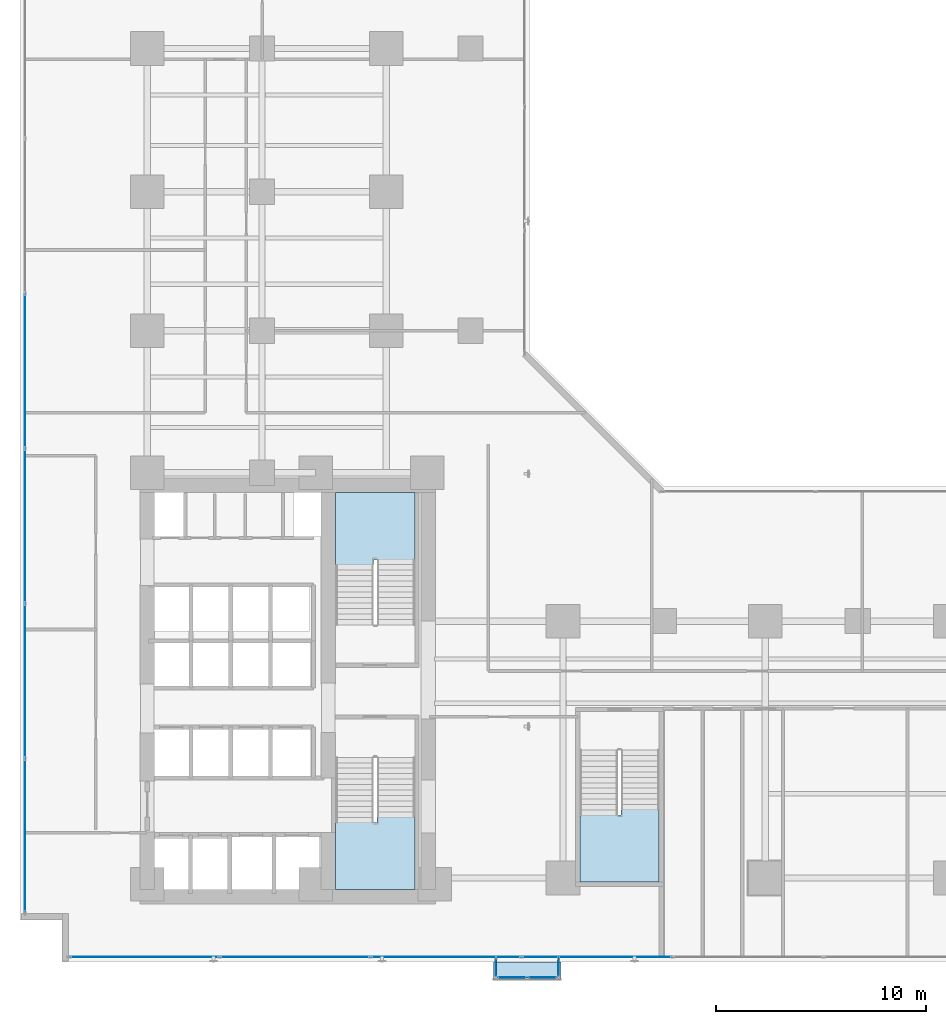
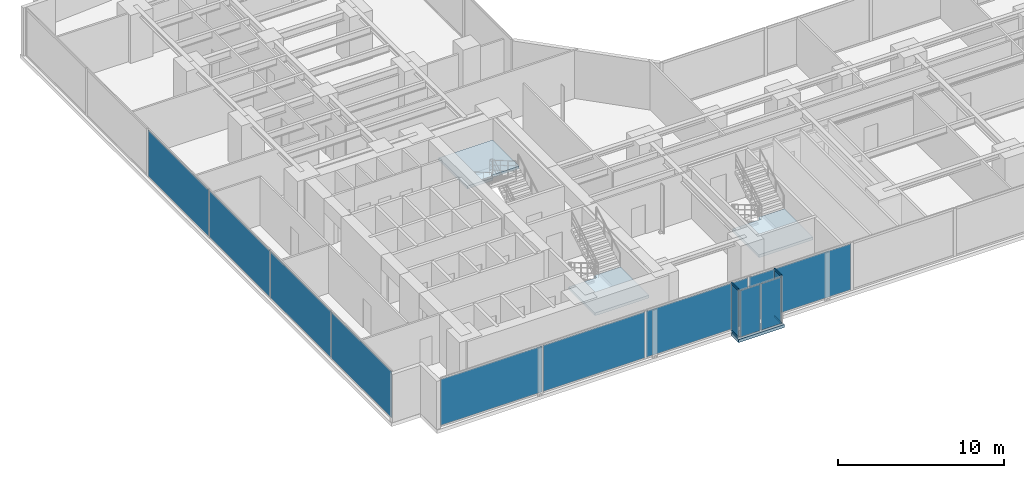
# One storey, part 20 of 28: 12 plates, 4 members, 4 slabs, 8 elements without a shape of their own.
"""IFC4 building model written with IfcOpenShell, lengths in metres."""

from ifc_helpers import new_model, si_unit, direction, frame, origin, origin_with_axes, origin_2d, place, context, subcontext, project, spatial, polyline, rectangle, hollow_rectangle, outline, extrude, source, transform, mapped, material, layer, layer_set, material_profile, profile_set, type_object, element, aggregate, save


model = new_model("IFC4")

# Units and contexts
model_context = context("Model", 3, precision=1e-05, world=origin(), true_north=direction((0.0, 1.0)))
body_context = subcontext(model_context, "Body", "Model", "MODEL_VIEW")
ifc_project = project(units=[si_unit("LENGTHUNIT", "METRE"), si_unit("AREAUNIT", "SQUARE_METRE"), si_unit("VOLUMEUNIT", "CUBIC_METRE"), si_unit("PLANEANGLEUNIT", "RADIAN"), si_unit("MASSUNIT", "GRAM", prefix="KILO")], contexts=[model_context])

# Site, building, storey
site_placement = place(None, origin())
site = spatial("IfcSite", under=ifc_project, at=site_placement, CompositionType="ELEMENT")
building_placement = place(site_placement, origin())
building = spatial("IfcBuilding", under=site, at=building_placement, Name="Kolvaren Waterfront Exchange", CompositionType="ELEMENT")
storey_placement = place(building_placement, frame((0.0, 0.0, 75.199951171875)))
storey = spatial("IfcBuildingStorey", under=building, at=storey_placement, Name="L19", CompositionType="ELEMENT", Elevation=75.199951171875)

# Curtain wall, members
ifc_material_1 = material(Name="Anodised bronze aluminium 6063-T6", Category="aluminium")
ifc_layer_1 = layer(ifc_material_1, 0.219970703125, Name="Anodised bronze aluminium 6063-T6")
ifc_layer_set_1 = layer_set([ifc_layer_1], Name="Anodised bronze aluminium 6063-T6")
curtain_wall_type_1 = type_object("IfcCurtainWallType", Name="ARC-CW-SYS3", PredefinedType="USERDEFINED", material=ifc_layer_set_1)
curtain_wall_1_placement = place(storey_placement, origin())
curtain_wall_1 = element("IfcCurtainWall", 1, at=curtain_wall_1_placement, inside=storey, type_object=curtain_wall_type_1, Name="L19 stick curtain wall CW3 (CW-L19-BOX-W)", ObjectType="STICK CURTAIN WALL", PredefinedType="USERDEFINED")
ifc_material_profile = material_profile(ifc_material_1, hollow_rectangle(XDim=0.06494140625, YDim=0.1298828125, WallThickness=0.00390625, at=origin_2d()), Name="ALU-TRN-130x65x4")
ifc_profile_set = profile_set([ifc_material_profile], Name="Anodised bronze aluminium 6063-T6")
member_type = type_object("IfcMemberType", Name="ARC-CWT-130", PredefinedType="USERDEFINED", material=ifc_profile_set)
shared_shape_1 = source(origin_with_axes(), body_context, "Body", "SweptSolid", [
    extrude(hollow_rectangle(XDim=0.06494140625, YDim=0.1298828125, WallThickness=0.00390625, at=origin_2d()), origin(), (0.0, 0.0, 1.0), 0.830078125),
])
member_1_placement = place(storey_placement, frame((24.010009765625, 1.364990234375, 0.032470703125), z_axis=(0.0, -1.0, 0.0), x_axis=(1.0, 0.0, 0.0)))
member_1 = element("IfcMember", 2, at=member_1_placement, type_object=member_type, Name="CW3 transom 1.1", ObjectType="TRANSOM", PredefinedType="USERDEFINED", context=body_context, shape_type="MappedRepresentation", body=[
    mapped(shared_shape_1, transform((0.0, 0.0, 0.0), x_axis=(1.0, 0.0, 0.0), y_axis=(0.0, 1.0, 0.0), z_axis=(0.0, 0.0, 1.0), scale=1.0)),
])
member_2_placement = place(storey_placement, frame((24.010009765625, 1.364990234375, 3.507568359375), z_axis=(0.0, -1.0, 0.0), x_axis=(1.0, 0.0, 0.0)))
member_2 = element("IfcMember", 3, at=member_2_placement, type_object=member_type, Name="CW3 transom 1.2", ObjectType="TRANSOM", PredefinedType="USERDEFINED", context=body_context, shape_type="MappedRepresentation", body=[
    mapped(shared_shape_1, transform((0.0, 0.0, 0.0), x_axis=(1.0, 0.0, 0.0), y_axis=(0.0, 1.0, 0.0), z_axis=(0.0, 0.0, 1.0), scale=1.0)),
])

curtain_wall_2_placement = place(storey_placement, origin())
curtain_wall_2 = element("IfcCurtainWall", 4, at=curtain_wall_2_placement, inside=storey, type_object=curtain_wall_type_1, Name="L19 stick curtain wall CW3 (CW-L19-BOX-E)", ObjectType="STICK CURTAIN WALL", PredefinedType="USERDEFINED")
member_3_placement = place(storey_placement, frame((26.989990234375, 0.534912109375, 0.032470703125), z_axis=(0.0, 1.0, 0.0), x_axis=(-1.0, 0.0, 0.0)))
member_3 = element("IfcMember", 5, at=member_3_placement, type_object=member_type, Name="CW3 transom 1.1", ObjectType="TRANSOM", PredefinedType="USERDEFINED", context=body_context, shape_type="MappedRepresentation", body=[
    mapped(shared_shape_1, transform((0.0, 0.0, 0.0), x_axis=(1.0, 0.0, 0.0), y_axis=(0.0, 1.0, 0.0), z_axis=(0.0, 0.0, 1.0), scale=1.0)),
])
member_4_placement = place(storey_placement, frame((26.989990234375, 0.534912109375, 3.507568359375), z_axis=(0.0, 1.0, 0.0), x_axis=(-1.0, 0.0, 0.0)))
member_4 = element("IfcMember", 6, at=member_4_placement, type_object=member_type, Name="CW3 transom 1.2", ObjectType="TRANSOM", PredefinedType="USERDEFINED", context=body_context, shape_type="MappedRepresentation", body=[
    mapped(shared_shape_1, transform((0.0, 0.0, 0.0), x_axis=(1.0, 0.0, 0.0), y_axis=(0.0, 1.0, 0.0), z_axis=(0.0, 0.0, 1.0), scale=1.0)),
])

# Stair, slab
ifc_material_2 = material(Name="Concrete C40/50", Category="concrete")
stair_type = type_object("IfcStairType", Name="ARC-STAIR-3800", PredefinedType="HALF_TURN_STAIR", material=ifc_material_2)
stair_1_placement = place(storey_placement, origin())
stair_1 = element("IfcStair", 7, at=stair_1_placement, inside=storey, type_object=stair_type, Name="L19 Smoke-proof exit stair ST1", PredefinedType="HALF_TURN_STAIR")
ifc_layer_2 = layer(ifc_material_2, 0.199951171875, Name="Concrete C40/50")
ifc_layer_set_2 = layer_set([ifc_layer_2], Name="Concrete C40/50")
slab_type_1 = type_object("IfcSlabType", Name="STR-LANDING-200", PredefinedType="LANDING", material=ifc_layer_set_2)
slab_1_placement = place(storey_placement, frame((0.0, 0.0, 1.776123046875)))
slab_1 = element("IfcSlab", 8, at=slab_1_placement, type_object=slab_type_1, Name="ST1 landing 1", PredefinedType="LANDING", context=body_context, shape_type="SweptSolid", body=[
    extrude(outline(polyline([(16.39990234375, 7.840087890625), (16.39990234375, 4.64990234375), (20.159912109375, 4.64990234375), (20.159912109375, 8.10009765625), (18.360107421875, 8.10009765625), (18.360107421875, 7.840087890625), (16.39990234375, 7.840087890625)])), origin(), (0.0, 0.0, 1.0), 0.199951171875),
])
aggregate(stair_1, [slab_1])

stair_2_placement = place(storey_placement, origin())
stair_2 = element("IfcStair", 9, at=stair_2_placement, inside=storey, type_object=stair_type, Name="L19 Smoke-proof exit stair ST2", PredefinedType="HALF_TURN_STAIR")
slab_2_placement = place(storey_placement, frame((0.0, 0.0, 1.776123046875)))
slab_2 = element("IfcSlab", 10, at=slab_2_placement, type_object=slab_type_1, Name="ST2 landing 1", PredefinedType="LANDING", context=body_context, shape_type="SweptSolid", body=[
    extrude(outline(polyline([(20.159912109375, 20.31005859375), (20.159912109375, 23.5), (16.39990234375, 23.5), (16.39990234375, 20.050048828125), (18.199951171875, 20.050048828125), (18.199951171875, 20.31005859375), (20.159912109375, 20.31005859375)])), origin(), (0.0, 0.0, 1.0), 0.199951171875),
])
aggregate(stair_2, [slab_2])

stair_3_placement = place(storey_placement, origin())
stair_3 = element("IfcStair", 11, at=stair_3_placement, inside=storey, type_object=stair_type, Name="L19 Exit stair ST3", PredefinedType="HALF_TURN_STAIR")
slab_3_placement = place(storey_placement, frame((0.0, 0.0, 1.776123046875)))
slab_3 = element("IfcSlab", 12, at=slab_3_placement, type_object=slab_type_1, Name="ST3 landing 1", PredefinedType="LANDING", context=body_context, shape_type="SweptSolid", body=[
    extrude(outline(polyline([(28.0, 8.18994140625), (28.0, 5.0), (31.760009765625, 5.0), (31.760009765625, 8.449951171875), (29.9599609375, 8.449951171875), (29.9599609375, 8.18994140625), (28.0, 8.18994140625)])), origin(), (0.0, 0.0, 1.0), 0.199951171875),
])
aggregate(stair_3, [slab_3])

# Slab
ifc_layer_3 = layer(ifc_material_2, 0.219970703125, Name="Concrete C40/50")
ifc_layer_set_3 = layer_set([ifc_layer_3], Name="Concrete C40/50")
slab_type_2 = type_object("IfcSlabType", Name="STR-TERR-220", PredefinedType="FLOOR", material=ifc_layer_set_3)
slab_4_placement = place(storey_placement, frame((0.0, 0.0, -0.219970703125)))
element("IfcSlab", 13, at=slab_4_placement, inside=storey, type_object=slab_type_2, Name="L19 projecting bay-box floor strip", PredefinedType="FLOOR", context=body_context, shape_type="SweptSolid", body=[
    extrude(outline(polyline([(23.89990234375, 0.35009765625), (27.10009765625, 0.35009765625), (27.10009765625, 1.199951171875), (23.89990234375, 1.199951171875), (23.89990234375, 0.35009765625)])), origin(), (0.0, 0.0, 1.0), 0.219970703125),
])

# Curtain wall, plates
ifc_layer_4 = layer(ifc_material_1, 0.219970703125, Name="Anodised bronze aluminium 6063-T6")
ifc_layer_set_4 = layer_set([ifc_layer_4], Name="Anodised bronze aluminium 6063-T6")
curtain_wall_type_2 = type_object("IfcCurtainWallType", Name="ARC-CW-SYS1", PredefinedType="USERDEFINED", material=ifc_layer_set_4)
curtain_wall_3_placement = place(storey_placement, origin())
curtain_wall_3 = element("IfcCurtainWall", 14, at=curtain_wall_3_placement, inside=storey, type_object=curtain_wall_type_2, Name="L19 stick curtain wall CW1 (CW-L19-S)", ObjectType="STICK CURTAIN WALL", PredefinedType="USERDEFINED")
ifc_material_3 = material(Name="Bronze solar control vision glass", Category="aluminium")
ifc_layer_5 = layer(ifc_material_3, 0.028076171875, Name="Bronze solar control vision glass")
ifc_layer_set_5 = layer_set([ifc_layer_5], Name="Bronze solar control vision glass")
plate_type_1 = type_object("IfcPlateType", Name="ARC-CWP-28", PredefinedType="CURTAIN_PANEL", material=ifc_layer_set_5)
shared_shape_2 = source(origin_with_axes(), body_context, "Body", "SweptSolid", [
    extrude(rectangle(XDim=7.054931640625, YDim=0.028076171875, at=origin_2d()), origin(), (0.0, 0.0, 1.0), 3.389892578125),
])
plate_1_placement = place(storey_placement, frame((7.3076171875, 1.43994140625, 0.0751953125), z_axis=(0.0, 0.0, 1.0), x_axis=(1.0, 0.0, 0.0)))
plate_1 = element("IfcPlate", 15, at=plate_1_placement, type_object=plate_type_1, Name="CW1 panel 1.1", PredefinedType="CURTAIN_PANEL", context=body_context, shape_type="MappedRepresentation", body=[
    mapped(shared_shape_2, transform((0.0, 0.0, 0.0), x_axis=(1.0, 0.0, 0.0), y_axis=(0.0, 1.0, 0.0), z_axis=(0.0, 0.0, 1.0), scale=1.0)),
])
shared_shape_3 = source(origin_with_axes(), body_context, "Body", "SweptSolid", [
    extrude(rectangle(XDim=7.094970703125, YDim=0.028076171875, at=origin_2d()), origin(), (0.0, 0.0, 1.0), 3.389892578125),
])
plate_2_placement = place(storey_placement, frame((14.46240234375, 1.43994140625, 0.0751953125), z_axis=(0.0, 0.0, 1.0), x_axis=(1.0, 0.0, 0.0)))
plate_2 = element("IfcPlate", 16, at=plate_2_placement, type_object=plate_type_1, Name="CW1 panel 2.1", PredefinedType="CURTAIN_PANEL", context=body_context, shape_type="MappedRepresentation", body=[
    mapped(shared_shape_3, transform((0.0, 0.0, 0.0), x_axis=(1.0, 0.0, 0.0), y_axis=(0.0, 1.0, 0.0), z_axis=(0.0, 0.0, 1.0), scale=1.0)),
])
plate_3_placement = place(storey_placement, frame((21.637451171875, 1.43994140625, 0.0751953125), z_axis=(0.0, 0.0, 1.0), x_axis=(1.0, 0.0, 0.0)))
plate_3 = element("IfcPlate", 17, at=plate_3_placement, type_object=plate_type_1, Name="CW1 panel 3.1", PredefinedType="CURTAIN_PANEL", context=body_context, shape_type="MappedRepresentation", body=[
    mapped(shared_shape_3, transform((0.0, 0.0, 0.0), x_axis=(1.0, 0.0, 0.0), y_axis=(0.0, 1.0, 0.0), z_axis=(0.0, 0.0, 1.0), scale=1.0)),
])
plate_4_placement = place(storey_placement, frame((28.8125, 1.43994140625, 0.0751953125), z_axis=(0.0, 0.0, 1.0), x_axis=(1.0, 0.0, 0.0)))
plate_4 = element("IfcPlate", 18, at=plate_4_placement, type_object=plate_type_1, Name="CW1 panel 4.1", PredefinedType="CURTAIN_PANEL", context=body_context, shape_type="MappedRepresentation", body=[
    mapped(shared_shape_3, transform((0.0, 0.0, 0.0), x_axis=(1.0, 0.0, 0.0), y_axis=(0.0, 1.0, 0.0), z_axis=(0.0, 0.0, 1.0), scale=1.0)),
])
aggregate(curtain_wall_3, [plate_1, plate_2, plate_3, plate_4])

ifc_material_4 = material(Name="Anodised aluminium 6063-T6", Category="aluminium")
ifc_layer_6 = layer(ifc_material_4, 0.219970703125, Name="Anodised aluminium 6063-T6")
ifc_layer_set_6 = layer_set([ifc_layer_6], Name="Anodised aluminium 6063-T6")
curtain_wall_type_3 = type_object("IfcCurtainWallType", Name="ARC-CW-SYS2", PredefinedType="USERDEFINED", material=ifc_layer_set_6)
curtain_wall_4_placement = place(storey_placement, origin())
curtain_wall_4 = element("IfcCurtainWall", 19, at=curtain_wall_4_placement, inside=storey, type_object=curtain_wall_type_3, Name="L19 stick curtain wall CW2 (CW-L19-W)", ObjectType="STICK CURTAIN WALL", PredefinedType="USERDEFINED")
ifc_material_5 = material(Name="Acoustic laminated vision glass", Category="glass")
ifc_layer_7 = layer(ifc_material_5, 0.031982421875, Name="Acoustic laminated vision glass")
ifc_layer_set_7 = layer_set([ifc_layer_7], Name="Acoustic laminated vision glass")
plate_type_2 = type_object("IfcPlateType", Name="ARC-CWP-32", PredefinedType="CURTAIN_PANEL", material=ifc_layer_set_7)
shared_shape_4 = source(origin_with_axes(), body_context, "Body", "SweptSolid", [
    extrude(rectangle(XDim=7.24658203125, YDim=0.031982421875, at=origin_2d()), origin(), (0.0, 0.0, 1.0), 3.389892578125),
])
plate_5_placement = place(storey_placement, frame((1.639892578125, 7.203369140625, 0.0751953125), z_axis=(0.0, 0.0, 1.0), x_axis=(0.0, 1.0, 0.0)))
plate_5 = element("IfcPlate", 20, at=plate_5_placement, type_object=plate_type_2, Name="CW2 panel 1.1", PredefinedType="CURTAIN_PANEL", context=body_context, shape_type="MappedRepresentation", body=[
    mapped(shared_shape_4, transform((0.0, 0.0, 0.0), x_axis=(1.0, 0.0, 0.0), y_axis=(0.0, 1.0, 0.0), z_axis=(0.0, 0.0, 1.0), scale=1.0)),
])
shared_shape_5 = source(origin_with_axes(), body_context, "Body", "SweptSolid", [
    extrude(rectangle(XDim=7.28662109375, YDim=0.031982421875, at=origin_2d()), origin(), (0.0, 0.0, 1.0), 3.389892578125),
])
plate_6_placement = place(storey_placement, frame((1.639892578125, 14.550048828125, 0.0751953125), z_axis=(0.0, 0.0, 1.0), x_axis=(0.0, 1.0, 0.0)))
plate_6 = element("IfcPlate", 21, at=plate_6_placement, type_object=plate_type_2, Name="CW2 panel 2.1", PredefinedType="CURTAIN_PANEL", context=body_context, shape_type="MappedRepresentation", body=[
    mapped(shared_shape_5, transform((0.0, 0.0, 0.0), x_axis=(1.0, 0.0, 0.0), y_axis=(0.0, 1.0, 0.0), z_axis=(0.0, 0.0, 1.0), scale=1.0)),
])
plate_7_placement = place(storey_placement, frame((1.639892578125, 21.916748046875, 0.0751953125), z_axis=(0.0, 0.0, 1.0), x_axis=(0.0, 1.0, 0.0)))
plate_7 = element("IfcPlate", 22, at=plate_7_placement, type_object=plate_type_2, Name="CW2 panel 3.1", PredefinedType="CURTAIN_PANEL", context=body_context, shape_type="MappedRepresentation", body=[
    mapped(shared_shape_5, transform((0.0, 0.0, 0.0), x_axis=(1.0, 0.0, 0.0), y_axis=(0.0, 1.0, 0.0), z_axis=(0.0, 0.0, 1.0), scale=1.0)),
])
plate_8_placement = place(storey_placement, frame((1.639892578125, 29.283447265625, 0.0751953125), z_axis=(0.0, 0.0, 1.0), x_axis=(0.0, 1.0, 0.0)))
plate_8 = element("IfcPlate", 23, at=plate_8_placement, type_object=plate_type_2, Name="CW2 panel 4.1", PredefinedType="CURTAIN_PANEL", context=body_context, shape_type="MappedRepresentation", body=[
    mapped(shared_shape_5, transform((0.0, 0.0, 0.0), x_axis=(1.0, 0.0, 0.0), y_axis=(0.0, 1.0, 0.0), z_axis=(0.0, 0.0, 1.0), scale=1.0)),
])
aggregate(curtain_wall_4, [plate_5, plate_6, plate_7, plate_8])

# Plate
ifc_material_6 = material(Name="Bronze tinted bay-box vision glass", Category="aluminium")
ifc_layer_8 = layer(ifc_material_6, 0.02392578125, Name="Bronze tinted bay-box vision glass")
ifc_layer_set_8 = layer_set([ifc_layer_8], Name="Bronze tinted bay-box vision glass")
plate_type_3 = type_object("IfcPlateType", Name="ARC-CWP-24", PredefinedType="CURTAIN_PANEL", material=ifc_layer_set_8)
shared_shape_6 = source(origin_with_axes(), body_context, "Body", "SweptSolid", [
    extrude(rectangle(XDim=0.830078125, YDim=0.02392578125, at=origin_2d()), origin(), (0.0, 0.0, 1.0), 3.409912109375),
])
plate_9_placement = place(storey_placement, frame((24.010009765625, 0.949951171875, 0.06494140625), z_axis=(0.0, 0.0, 1.0), x_axis=(0.0, -1.0, 0.0)))
plate_9 = element("IfcPlate", 24, at=plate_9_placement, type_object=plate_type_3, Name="CW3 panel 1.1", PredefinedType="CURTAIN_PANEL", context=body_context, shape_type="MappedRepresentation", body=[
    mapped(shared_shape_6, transform((0.0, 0.0, 0.0), x_axis=(1.0, 0.0, 0.0), y_axis=(0.0, 1.0, 0.0), z_axis=(0.0, 0.0, 1.0), scale=1.0)),
])

aggregate(curtain_wall_1, [member_1, member_2, plate_9])

plate_10_placement = place(storey_placement, frame((26.989990234375, 0.949951171875, 0.06494140625), z_axis=(0.0, 0.0, 1.0), x_axis=(0.0, 1.0, 0.0)))
plate_10 = element("IfcPlate", 25, at=plate_10_placement, type_object=plate_type_3, Name="CW3 panel 1.1", PredefinedType="CURTAIN_PANEL", context=body_context, shape_type="MappedRepresentation", body=[
    mapped(shared_shape_6, transform((0.0, 0.0, 0.0), x_axis=(1.0, 0.0, 0.0), y_axis=(0.0, 1.0, 0.0), z_axis=(0.0, 0.0, 1.0), scale=1.0)),
])

aggregate(curtain_wall_2, [member_3, member_4, plate_10])

# Curtain wall, plates
curtain_wall_5_placement = place(storey_placement, origin())
curtain_wall_5 = element("IfcCurtainWall", 26, at=curtain_wall_5_placement, inside=storey, type_object=curtain_wall_type_1, Name="L19 stick curtain wall CW3 (CW-L19-BOX)", ObjectType="STICK CURTAIN WALL", PredefinedType="USERDEFINED")
shared_shape_7 = source(origin_with_axes(), body_context, "Body", "SweptSolid", [
    extrude(rectangle(XDim=1.37744140625, YDim=0.02392578125, at=origin_2d()), origin(), (0.0, 0.0, 1.0), 3.409912109375),
])
plate_11_placement = place(storey_placement, frame((24.773681640625, 0.4599609375, 0.06494140625), z_axis=(0.0, 0.0, 1.0), x_axis=(1.0, 0.0, 0.0)))
plate_11 = element("IfcPlate", 27, at=plate_11_placement, type_object=plate_type_3, Name="CW3 panel 1.1", PredefinedType="CURTAIN_PANEL", context=body_context, shape_type="MappedRepresentation", body=[
    mapped(shared_shape_7, transform((0.0, 0.0, 0.0), x_axis=(1.0, 0.0, 0.0), y_axis=(0.0, 1.0, 0.0), z_axis=(0.0, 0.0, 1.0), scale=1.0)),
])
plate_12_placement = place(storey_placement, frame((26.226318359375, 0.4599609375, 0.06494140625), z_axis=(0.0, 0.0, 1.0), x_axis=(1.0, 0.0, 0.0)))
plate_12 = element("IfcPlate", 28, at=plate_12_placement, type_object=plate_type_3, Name="CW3 panel 2.1", PredefinedType="CURTAIN_PANEL", context=body_context, shape_type="MappedRepresentation", body=[
    mapped(shared_shape_7, transform((0.0, 0.0, 0.0), x_axis=(1.0, 0.0, 0.0), y_axis=(0.0, 1.0, 0.0), z_axis=(0.0, 0.0, 1.0), scale=1.0)),
])
aggregate(curtain_wall_5, [plate_11, plate_12])

save(model, "model.ifc")
